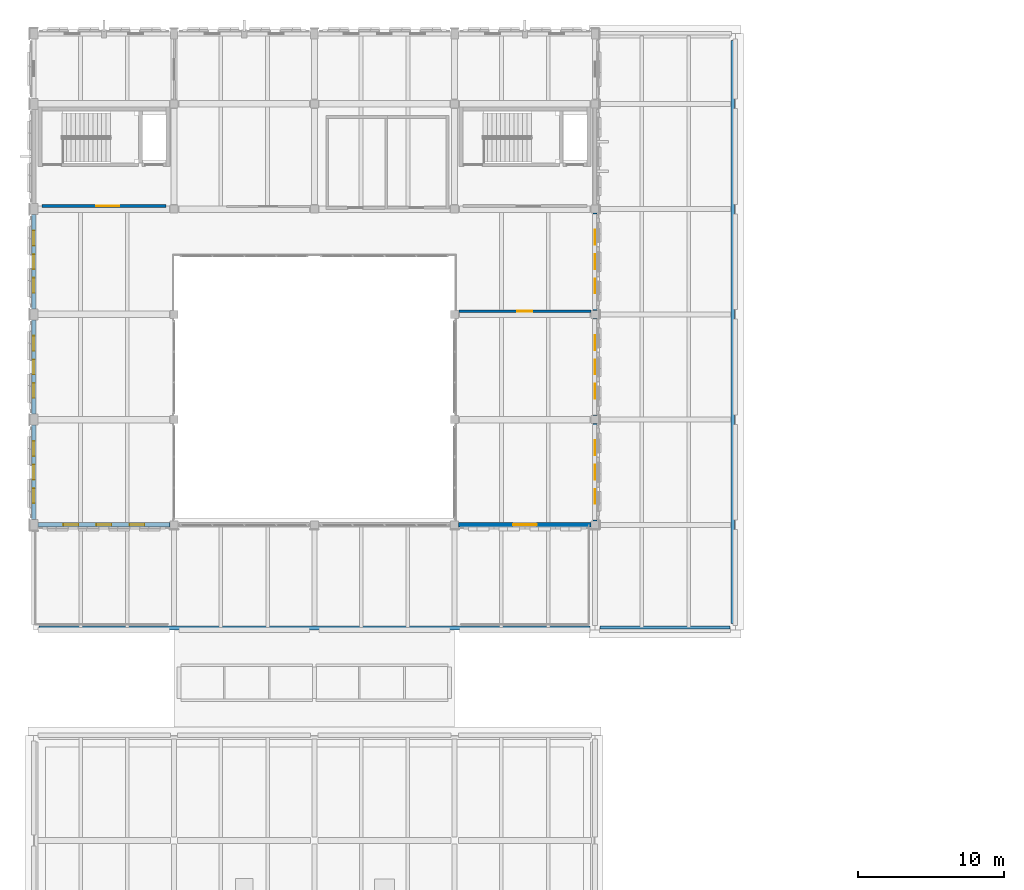
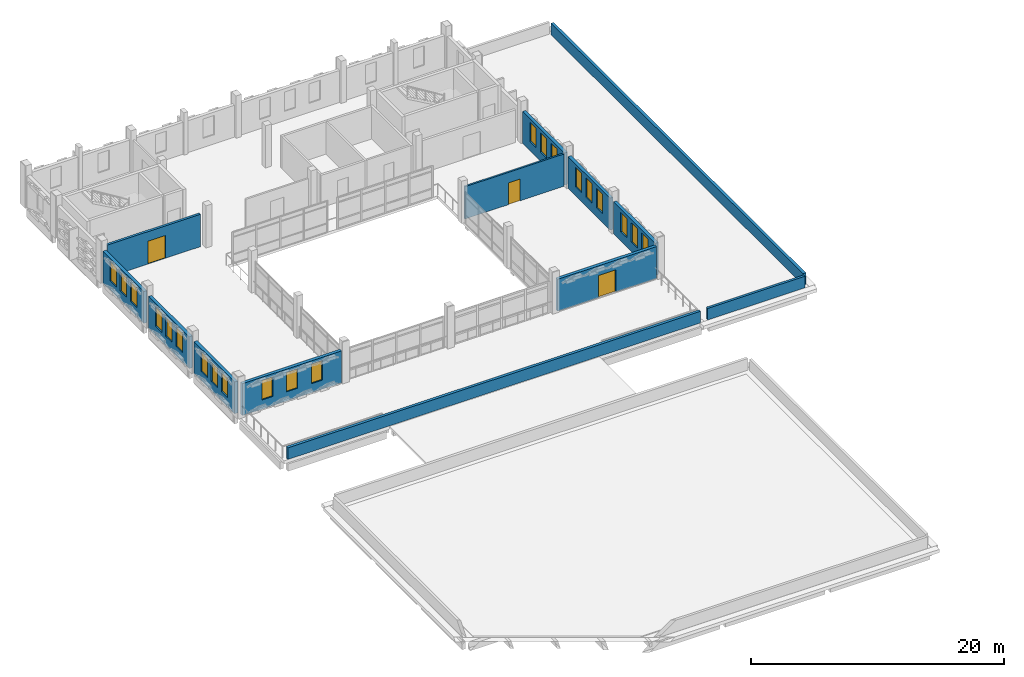
# One storey, part 37 of 50: 21 windows, 13 walls, 3 doors, 24 openings.
"""IFC4 building model written with IfcOpenShell, lengths in metres."""

from ifc_helpers import new_model, si_unit, direction, frame, frame_2d, origin, place, context, subcontext, project, spatial, rectangle, extrude, material, layer, layer_set, type_object, element, fill, save


model = new_model("IFC4")

# Units and contexts
model_context = context("Model", 3, precision=1e-05, world=origin(), true_north=direction((0.0, 1.0)))
body_context = subcontext(model_context, "Body", "Model", "MODEL_VIEW")
ifc_project = project(units=[si_unit("LENGTHUNIT", "METRE"), si_unit("AREAUNIT", "SQUARE_METRE"), si_unit("VOLUMEUNIT", "CUBIC_METRE"), si_unit("PLANEANGLEUNIT", "RADIAN"), si_unit("MASSUNIT", "GRAM", prefix="KILO")], contexts=[model_context])

# Site, building, storey
site_placement = place(None, origin())
site = spatial("IfcSite", under=ifc_project, at=site_placement, CompositionType="ELEMENT")
building_placement = place(site_placement, origin())
building = spatial("IfcBuilding", under=site, at=building_placement, Name="Asteropetra Specialist Clinic", CompositionType="ELEMENT")
storey_placement = place(building_placement, frame((0.0, 0.0, 16.659912109375)))
storey = spatial("IfcBuildingStorey", under=building, at=storey_placement, Name="L04", CompositionType="ELEMENT", Elevation=16.659912109375)

# Wall, openings, windows
ifc_material_1 = material(Name="Chevron ivory", Category="masonry")
ifc_layer_1 = layer(ifc_material_1, 0.2900390625)
ifc_layer_set_1 = layer_set([ifc_layer_1], Name="Chevron ivory")
wall_type_1 = type_object("IfcWallType", Name="EW-CHEV-TER-290", PredefinedType="SOLIDWALL", material=ifc_layer_set_1)
wall_1_placement = place(storey_placement, frame((0.27490234375, 76.800048828125, 0.0), z_axis=(0.0, 0.0, 1.0), x_axis=(1.0, 0.0, 0.0)))
wall_1 = element("IfcWall", 1, at=wall_1_placement, inside=storey, type_object=wall_type_1, Name="Exterior Wall EW-0127", PredefinedType="SOLIDWALL", context=body_context, shape_type="SweptSolid", body=[
    extrude(rectangle(XDim=9.050048828125, YDim=0.2900390625, at=frame_2d((4.52490234375, 0.0))), origin(), (0.0, 0.0, 1.0), 3.080078125),
])
opening_1_placement = place(wall_1_placement, frame((1.75244140625, 0.0, 0.8798828125)))
opening_1 = element("IfcOpeningElement", 2, at=opening_1_placement, cuts=wall_1, Name="Opening W-0055", PredefinedType="OPENING", context=body_context, shape_type="SweptSolid", body=[
    extrude(rectangle(XDim=1.02001953125, YDim=1.8798828125, at=frame_2d((0.510009765625, 0.93994140625))), frame((0.0, 0.155029296875, 0.0), z_axis=(0.0, -1.0, 0.0), x_axis=(1.0, 0.0, 0.0)), (0.0, 0.0, 1.0), 0.31005859375),
])
opening_2_placement = place(wall_1_placement, frame((4.014892578125, 0.0, 0.8798828125)))
opening_2 = element("IfcOpeningElement", 3, at=opening_2_placement, cuts=wall_1, Name="Opening W-0056", PredefinedType="OPENING", context=body_context, shape_type="SweptSolid", body=[
    extrude(rectangle(XDim=1.02001953125, YDim=1.8798828125, at=frame_2d((0.510009765625, 0.93994140625))), frame((0.0, 0.155029296875, 0.0), z_axis=(0.0, -1.0, 0.0), x_axis=(1.0, 0.0, 0.0)), (0.0, 0.0, 1.0), 0.31005859375),
])
opening_3_placement = place(wall_1_placement, frame((6.277587890625, 0.0, 0.8798828125)))
opening_3 = element("IfcOpeningElement", 4, at=opening_3_placement, cuts=wall_1, Name="Opening W-0057", PredefinedType="OPENING", context=body_context, shape_type="SweptSolid", body=[
    extrude(rectangle(XDim=1.02001953125, YDim=1.8798828125, at=frame_2d((0.510009765625, 0.93994140625))), frame((0.0, 0.155029296875, 0.0), z_axis=(0.0, -1.0, 0.0), x_axis=(1.0, 0.0, 0.0)), (0.0, 0.0, 1.0), 0.31005859375),
])
ifc_material_2 = material(Name="Thermally broken bronze aluminium and low-E glass", Category="aluminium")
window_type = type_object("IfcWindowType", Name="WIN-T31", PartitioningType="SINGLE_PANEL", PredefinedType="WINDOW", material=ifc_material_2)
window_1_placement = place(opening_1_placement, origin())
window_1 = element("IfcWindow", 5, at=window_1_placement, inside=storey, type_object=window_type, Name="Window W-0055", OverallHeight=1.8798828125, OverallWidth=1.02001953125, PartitioningType="SINGLE_PANEL", PredefinedType="WINDOW", context=body_context, shape_type="SweptSolid", body=[
    extrude(rectangle(XDim=1.02001953125, YDim=1.8798828125, at=frame_2d((0.510009765625, 0.93994140625))), frame((0.0, 0.030029296875, 0.0), z_axis=(0.0, -1.0, 0.0), x_axis=(1.0, 0.0, 0.0)), (0.0, 0.0, 1.0), 0.06005859375),
])
fill(opening_1, window_1)
window_2_placement = place(opening_2_placement, origin())
window_2 = element("IfcWindow", 6, at=window_2_placement, inside=storey, type_object=window_type, Name="Window W-0056", OverallHeight=1.8798828125, OverallWidth=1.02001953125, PartitioningType="SINGLE_PANEL", PredefinedType="WINDOW", context=body_context, shape_type="SweptSolid", body=[
    extrude(rectangle(XDim=1.02001953125, YDim=1.8798828125, at=frame_2d((0.510009765625, 0.93994140625))), frame((0.0, 0.030029296875, 0.0), z_axis=(0.0, -1.0, 0.0), x_axis=(1.0, 0.0, 0.0)), (0.0, 0.0, 1.0), 0.06005859375),
])
fill(opening_2, window_2)
window_3_placement = place(opening_3_placement, origin())
window_3 = element("IfcWindow", 7, at=window_3_placement, inside=storey, type_object=window_type, Name="Window W-0057", OverallHeight=1.8798828125, OverallWidth=1.02001953125, PartitioningType="SINGLE_PANEL", PredefinedType="WINDOW", context=body_context, shape_type="SweptSolid", body=[
    extrude(rectangle(XDim=1.02001953125, YDim=1.8798828125, at=frame_2d((0.510009765625, 0.93994140625))), frame((0.0, 0.030029296875, 0.0), z_axis=(0.0, -1.0, 0.0), x_axis=(1.0, 0.0, 0.0)), (0.0, 0.0, 1.0), 0.06005859375),
])
fill(opening_3, window_3)

# Wall, opening, door
wall_2_placement = place(storey_placement, frame((29.074951171875, 76.800048828125, 0.0), z_axis=(0.0, 0.0, 1.0), x_axis=(1.0, 0.0, 0.0)))
wall_2 = element("IfcWall", 8, at=wall_2_placement, inside=storey, type_object=wall_type_1, Name="Exterior Wall EW-0131", PredefinedType="SOLIDWALL", context=body_context, shape_type="SweptSolid", body=[
    extrude(rectangle(XDim=9.050048828125, YDim=0.2900390625, at=frame_2d((4.52490234375, 0.0))), origin(), (0.0, 0.0, 1.0), 3.080078125),
])
opening_4_placement = place(wall_2_placement, frame((3.72509765625, 0.0, 0.0)))
opening_4 = element("IfcOpeningElement", 9, at=opening_4_placement, cuts=wall_2, Name="Opening TD-12", PredefinedType="OPENING", context=body_context, shape_type="SweptSolid", body=[
    extrude(rectangle(XDim=1.60009765625, YDim=2.14990234375, at=frame_2d((0.800048828125, 1.074951171875))), frame((0.0, 0.155029296875, 0.0), z_axis=(0.0, -1.0, 0.0), x_axis=(1.0, 0.0, 0.0)), (0.0, 0.0, 1.0), 0.31005859375),
])
ifc_material_3 = material(Name="Bronze aluminium and low-E glass", Category="aluminium")
door_type_1 = type_object("IfcDoorType", Name="EDR-TER-1600", OperationType="DOUBLE_DOOR_SINGLE_SWING", PredefinedType="DOOR", material=ifc_material_3)
door_1_placement = place(opening_4_placement, origin())
door_1 = element("IfcDoor", 10, at=door_1_placement, inside=storey, type_object=door_type_1, Name="Exterior Door TD-12", OperationType="DOUBLE_DOOR_SINGLE_SWING", OverallHeight=2.14990234375, OverallWidth=1.60009765625, PredefinedType="DOOR", context=body_context, shape_type="SweptSolid", body=[
    extrude(rectangle(XDim=1.60009765625, YDim=2.14990234375, at=frame_2d((0.800048828125, 1.074951171875))), frame((0.0, 0.02490234375, 0.0), z_axis=(0.0, -1.0, 0.0), x_axis=(1.0, 0.0, 0.0)), (0.0, 0.0, 1.0), 0.050048828125),
])
fill(opening_4, door_1)

# Wall, openings, windows
wall_3_placement = place(storey_placement, frame((0.0, 83.625, 0.0), z_axis=(0.0, 0.0, 1.0), x_axis=(0.0, -1.0, 0.0)))
wall_3 = element("IfcWall", 11, at=wall_3_placement, inside=storey, type_object=wall_type_1, Name="Exterior Wall EW-0133", PredefinedType="SOLIDWALL", context=body_context, shape_type="SweptSolid", body=[
    extrude(rectangle(XDim=6.449951171875, YDim=0.2900390625, at=frame_2d((3.22509765625, 0.0))), origin(), (0.0, 0.0, 1.0), 3.080078125),
])
opening_5_placement = place(wall_3_placement, frame((1.1025390625, 0.0, 0.8798828125)))
opening_5 = element("IfcOpeningElement", 12, at=opening_5_placement, cuts=wall_3, Name="Opening W-0067", PredefinedType="OPENING", context=body_context, shape_type="SweptSolid", body=[
    extrude(rectangle(XDim=1.02001953125, YDim=1.8798828125, at=frame_2d((0.510009765625, 0.93994140625))), frame((0.0, 0.155029296875, 0.0), z_axis=(0.0, -1.0, 0.0), x_axis=(1.0, 0.0, 0.0)), (0.0, 0.0, 1.0), 0.31005859375),
])
opening_6_placement = place(wall_3_placement, frame((2.715087890625, 0.0, 0.8798828125)))
opening_6 = element("IfcOpeningElement", 13, at=opening_6_placement, cuts=wall_3, Name="Opening W-0068", PredefinedType="OPENING", context=body_context, shape_type="SweptSolid", body=[
    extrude(rectangle(XDim=1.02001953125, YDim=1.8798828125, at=frame_2d((0.510009765625, 0.93994140625))), frame((0.0, 0.155029296875, 0.0), z_axis=(0.0, -1.0, 0.0), x_axis=(1.0, 0.0, 0.0)), (0.0, 0.0, 1.0), 0.31005859375),
])
opening_7_placement = place(wall_3_placement, frame((4.327392578125, 0.0, 0.8798828125)))
opening_7 = element("IfcOpeningElement", 14, at=opening_7_placement, cuts=wall_3, Name="Opening W-0069", PredefinedType="OPENING", context=body_context, shape_type="SweptSolid", body=[
    extrude(rectangle(XDim=1.02001953125, YDim=1.8798828125, at=frame_2d((0.510009765625, 0.93994140625))), frame((0.0, 0.155029296875, 0.0), z_axis=(0.0, -1.0, 0.0), x_axis=(1.0, 0.0, 0.0)), (0.0, 0.0, 1.0), 0.31005859375),
])
window_4_placement = place(opening_5_placement, origin())
window_4 = element("IfcWindow", 15, at=window_4_placement, inside=storey, type_object=window_type, Name="Window W-0067", OverallHeight=1.8798828125, OverallWidth=1.02001953125, PartitioningType="SINGLE_PANEL", PredefinedType="WINDOW", context=body_context, shape_type="SweptSolid", body=[
    extrude(rectangle(XDim=1.02001953125, YDim=1.8798828125, at=frame_2d((0.510009765625, 0.93994140625))), frame((0.0, 0.030029296875, 0.0), z_axis=(0.0, -1.0, 0.0), x_axis=(1.0, 0.0, 0.0)), (0.0, 0.0, 1.0), 0.06005859375),
])
fill(opening_5, window_4)
window_5_placement = place(opening_6_placement, origin())
window_5 = element("IfcWindow", 16, at=window_5_placement, inside=storey, type_object=window_type, Name="Window W-0068", OverallHeight=1.8798828125, OverallWidth=1.02001953125, PartitioningType="SINGLE_PANEL", PredefinedType="WINDOW", context=body_context, shape_type="SweptSolid", body=[
    extrude(rectangle(XDim=1.02001953125, YDim=1.8798828125, at=frame_2d((0.510009765625, 0.93994140625))), frame((0.0, 0.030029296875, 0.0), z_axis=(0.0, -1.0, 0.0), x_axis=(1.0, 0.0, 0.0)), (0.0, 0.0, 1.0), 0.06005859375),
])
fill(opening_6, window_5)
window_6_placement = place(opening_7_placement, origin())
window_6 = element("IfcWindow", 17, at=window_6_placement, inside=storey, type_object=window_type, Name="Window W-0069", OverallHeight=1.8798828125, OverallWidth=1.02001953125, PartitioningType="SINGLE_PANEL", PredefinedType="WINDOW", context=body_context, shape_type="SweptSolid", body=[
    extrude(rectangle(XDim=1.02001953125, YDim=1.8798828125, at=frame_2d((0.510009765625, 0.93994140625))), frame((0.0, 0.030029296875, 0.0), z_axis=(0.0, -1.0, 0.0), x_axis=(1.0, 0.0, 0.0)), (0.0, 0.0, 1.0), 0.06005859375),
])
fill(opening_7, window_6)

wall_4_placement = place(storey_placement, frame((38.39990234375, 77.074951171875, 0.0), z_axis=(0.0, 0.0, 1.0), x_axis=(0.0, 1.0, 0.0)))
wall_4 = element("IfcWall", 18, at=wall_4_placement, inside=storey, type_object=wall_type_1, Name="Exterior Wall EW-0134", PredefinedType="SOLIDWALL", context=body_context, shape_type="SweptSolid", body=[
    extrude(rectangle(XDim=6.650146484375, YDim=0.2900390625, at=frame_2d((3.3251953125, 0.0))), origin(), (0.0, 0.0, 1.0), 3.080078125),
])
opening_8_placement = place(wall_4_placement, frame((1.152587890625, 0.0, 0.8798828125)))
opening_8 = element("IfcOpeningElement", 19, at=opening_8_placement, cuts=wall_4, Name="Opening W-0070", PredefinedType="OPENING", context=body_context, shape_type="SweptSolid", body=[
    extrude(rectangle(XDim=1.02001953125, YDim=1.8798828125, at=frame_2d((0.510009765625, 0.93994140625))), frame((0.0, 0.155029296875, 0.0), z_axis=(0.0, -1.0, 0.0), x_axis=(1.0, 0.0, 0.0)), (0.0, 0.0, 1.0), 0.31005859375),
])
opening_9_placement = place(wall_4_placement, frame((2.81494140625, 0.0, 0.8798828125)))
opening_9 = element("IfcOpeningElement", 20, at=opening_9_placement, cuts=wall_4, Name="Opening W-0071", PredefinedType="OPENING", context=body_context, shape_type="SweptSolid", body=[
    extrude(rectangle(XDim=1.02001953125, YDim=1.8798828125, at=frame_2d((0.510009765625, 0.93994140625))), frame((0.0, 0.155029296875, 0.0), z_axis=(0.0, -1.0, 0.0), x_axis=(1.0, 0.0, 0.0)), (0.0, 0.0, 1.0), 0.31005859375),
])
opening_10_placement = place(wall_4_placement, frame((4.4775390625, 0.0, 0.8798828125)))
opening_10 = element("IfcOpeningElement", 21, at=opening_10_placement, cuts=wall_4, Name="Opening W-0072", PredefinedType="OPENING", context=body_context, shape_type="SweptSolid", body=[
    extrude(rectangle(XDim=1.02001953125, YDim=1.8798828125, at=frame_2d((0.510009765625, 0.93994140625))), frame((0.0, 0.155029296875, 0.0), z_axis=(0.0, -1.0, 0.0), x_axis=(1.0, 0.0, 0.0)), (0.0, 0.0, 1.0), 0.31005859375),
])
window_7_placement = place(opening_8_placement, origin())
window_7 = element("IfcWindow", 22, at=window_7_placement, inside=storey, type_object=window_type, Name="Window W-0070", OverallHeight=1.8798828125, OverallWidth=1.02001953125, PartitioningType="SINGLE_PANEL", PredefinedType="WINDOW", context=body_context, shape_type="SweptSolid", body=[
    extrude(rectangle(XDim=1.02001953125, YDim=1.8798828125, at=frame_2d((0.510009765625, 0.93994140625))), frame((0.0, 0.030029296875, 0.0), z_axis=(0.0, -1.0, 0.0), x_axis=(1.0, 0.0, 0.0)), (0.0, 0.0, 1.0), 0.06005859375),
])
fill(opening_8, window_7)
window_8_placement = place(opening_9_placement, origin())
window_8 = element("IfcWindow", 23, at=window_8_placement, inside=storey, type_object=window_type, Name="Window W-0071", OverallHeight=1.8798828125, OverallWidth=1.02001953125, PartitioningType="SINGLE_PANEL", PredefinedType="WINDOW", context=body_context, shape_type="SweptSolid", body=[
    extrude(rectangle(XDim=1.02001953125, YDim=1.8798828125, at=frame_2d((0.510009765625, 0.93994140625))), frame((0.0, 0.030029296875, 0.0), z_axis=(0.0, -1.0, 0.0), x_axis=(1.0, 0.0, 0.0)), (0.0, 0.0, 1.0), 0.06005859375),
])
fill(opening_9, window_8)
window_9_placement = place(opening_10_placement, origin())
window_9 = element("IfcWindow", 24, at=window_9_placement, inside=storey, type_object=window_type, Name="Window W-0072", OverallHeight=1.8798828125, OverallWidth=1.02001953125, PartitioningType="SINGLE_PANEL", PredefinedType="WINDOW", context=body_context, shape_type="SweptSolid", body=[
    extrude(rectangle(XDim=1.02001953125, YDim=1.8798828125, at=frame_2d((0.510009765625, 0.93994140625))), frame((0.0, 0.030029296875, 0.0), z_axis=(0.0, -1.0, 0.0), x_axis=(1.0, 0.0, 0.0)), (0.0, 0.0, 1.0), 0.06005859375),
])
fill(opening_10, window_9)

wall_5_placement = place(storey_placement, frame((0.0, 90.824951171875, 0.0), z_axis=(0.0, 0.0, 1.0), x_axis=(0.0, -1.0, 0.0)))
wall_5 = element("IfcWall", 25, at=wall_5_placement, inside=storey, type_object=wall_type_1, Name="Exterior Wall EW-0135", PredefinedType="SOLIDWALL", context=body_context, shape_type="SweptSolid", body=[
    extrude(rectangle(XDim=6.449951171875, YDim=0.2900390625, at=frame_2d((3.22509765625, 0.0))), origin(), (0.0, 0.0, 1.0), 3.080078125),
])
opening_11_placement = place(wall_5_placement, frame((1.1025390625, 0.0, 0.8798828125)))
opening_11 = element("IfcOpeningElement", 26, at=opening_11_placement, cuts=wall_5, Name="Opening W-0073", PredefinedType="OPENING", context=body_context, shape_type="SweptSolid", body=[
    extrude(rectangle(XDim=1.02001953125, YDim=1.8798828125, at=frame_2d((0.510009765625, 0.93994140625))), frame((0.0, 0.155029296875, 0.0), z_axis=(0.0, -1.0, 0.0), x_axis=(1.0, 0.0, 0.0)), (0.0, 0.0, 1.0), 0.31005859375),
])
opening_12_placement = place(wall_5_placement, frame((2.715087890625, 0.0, 0.8798828125)))
opening_12 = element("IfcOpeningElement", 27, at=opening_12_placement, cuts=wall_5, Name="Opening W-0074", PredefinedType="OPENING", context=body_context, shape_type="SweptSolid", body=[
    extrude(rectangle(XDim=1.02001953125, YDim=1.8798828125, at=frame_2d((0.510009765625, 0.93994140625))), frame((0.0, 0.155029296875, 0.0), z_axis=(0.0, -1.0, 0.0), x_axis=(1.0, 0.0, 0.0)), (0.0, 0.0, 1.0), 0.31005859375),
])
opening_13_placement = place(wall_5_placement, frame((4.327392578125, 0.0, 0.8798828125)))
opening_13 = element("IfcOpeningElement", 28, at=opening_13_placement, cuts=wall_5, Name="Opening W-0075", PredefinedType="OPENING", context=body_context, shape_type="SweptSolid", body=[
    extrude(rectangle(XDim=1.02001953125, YDim=1.8798828125, at=frame_2d((0.510009765625, 0.93994140625))), frame((0.0, 0.155029296875, 0.0), z_axis=(0.0, -1.0, 0.0), x_axis=(1.0, 0.0, 0.0)), (0.0, 0.0, 1.0), 0.31005859375),
])
window_10_placement = place(opening_11_placement, origin())
window_10 = element("IfcWindow", 29, at=window_10_placement, inside=storey, type_object=window_type, Name="Window W-0073", OverallHeight=1.8798828125, OverallWidth=1.02001953125, PartitioningType="SINGLE_PANEL", PredefinedType="WINDOW", context=body_context, shape_type="SweptSolid", body=[
    extrude(rectangle(XDim=1.02001953125, YDim=1.8798828125, at=frame_2d((0.510009765625, 0.93994140625))), frame((0.0, 0.030029296875, 0.0), z_axis=(0.0, -1.0, 0.0), x_axis=(1.0, 0.0, 0.0)), (0.0, 0.0, 1.0), 0.06005859375),
])
fill(opening_11, window_10)
window_11_placement = place(opening_12_placement, origin())
window_11 = element("IfcWindow", 30, at=window_11_placement, inside=storey, type_object=window_type, Name="Window W-0074", OverallHeight=1.8798828125, OverallWidth=1.02001953125, PartitioningType="SINGLE_PANEL", PredefinedType="WINDOW", context=body_context, shape_type="SweptSolid", body=[
    extrude(rectangle(XDim=1.02001953125, YDim=1.8798828125, at=frame_2d((0.510009765625, 0.93994140625))), frame((0.0, 0.030029296875, 0.0), z_axis=(0.0, -1.0, 0.0), x_axis=(1.0, 0.0, 0.0)), (0.0, 0.0, 1.0), 0.06005859375),
])
fill(opening_12, window_11)
window_12_placement = place(opening_13_placement, origin())
window_12 = element("IfcWindow", 31, at=window_12_placement, inside=storey, type_object=window_type, Name="Window W-0075", OverallHeight=1.8798828125, OverallWidth=1.02001953125, PartitioningType="SINGLE_PANEL", PredefinedType="WINDOW", context=body_context, shape_type="SweptSolid", body=[
    extrude(rectangle(XDim=1.02001953125, YDim=1.8798828125, at=frame_2d((0.510009765625, 0.93994140625))), frame((0.0, 0.030029296875, 0.0), z_axis=(0.0, -1.0, 0.0), x_axis=(1.0, 0.0, 0.0)), (0.0, 0.0, 1.0), 0.06005859375),
])
fill(opening_13, window_12)

wall_6_placement = place(storey_placement, frame((38.39990234375, 84.27490234375, 0.0), z_axis=(0.0, 0.0, 1.0), x_axis=(0.0, 1.0, 0.0)))
wall_6 = element("IfcWall", 32, at=wall_6_placement, inside=storey, type_object=wall_type_1, Name="Exterior Wall EW-0136", PredefinedType="SOLIDWALL", context=body_context, shape_type="SweptSolid", body=[
    extrude(rectangle(XDim=6.650146484375, YDim=0.2900390625, at=frame_2d((3.3251953125, 0.0))), origin(), (0.0, 0.0, 1.0), 3.080078125),
])
opening_14_placement = place(wall_6_placement, frame((1.152587890625, 0.0, 0.8798828125)))
opening_14 = element("IfcOpeningElement", 33, at=opening_14_placement, cuts=wall_6, Name="Opening W-0076", PredefinedType="OPENING", context=body_context, shape_type="SweptSolid", body=[
    extrude(rectangle(XDim=1.02001953125, YDim=1.8798828125, at=frame_2d((0.510009765625, 0.93994140625))), frame((0.0, 0.155029296875, 0.0), z_axis=(0.0, -1.0, 0.0), x_axis=(1.0, 0.0, 0.0)), (0.0, 0.0, 1.0), 0.31005859375),
])
opening_15_placement = place(wall_6_placement, frame((2.81494140625, 0.0, 0.8798828125)))
opening_15 = element("IfcOpeningElement", 34, at=opening_15_placement, cuts=wall_6, Name="Opening W-0077", PredefinedType="OPENING", context=body_context, shape_type="SweptSolid", body=[
    extrude(rectangle(XDim=1.02001953125, YDim=1.8798828125, at=frame_2d((0.510009765625, 0.93994140625))), frame((0.0, 0.155029296875, 0.0), z_axis=(0.0, -1.0, 0.0), x_axis=(1.0, 0.0, 0.0)), (0.0, 0.0, 1.0), 0.31005859375),
])
opening_16_placement = place(wall_6_placement, frame((4.4775390625, 0.0, 0.8798828125)))
opening_16 = element("IfcOpeningElement", 35, at=opening_16_placement, cuts=wall_6, Name="Opening W-0078", PredefinedType="OPENING", context=body_context, shape_type="SweptSolid", body=[
    extrude(rectangle(XDim=1.02001953125, YDim=1.8798828125, at=frame_2d((0.510009765625, 0.93994140625))), frame((0.0, 0.155029296875, 0.0), z_axis=(0.0, -1.0, 0.0), x_axis=(1.0, 0.0, 0.0)), (0.0, 0.0, 1.0), 0.31005859375),
])
window_13_placement = place(opening_14_placement, origin())
window_13 = element("IfcWindow", 36, at=window_13_placement, inside=storey, type_object=window_type, Name="Window W-0076", OverallHeight=1.8798828125, OverallWidth=1.02001953125, PartitioningType="SINGLE_PANEL", PredefinedType="WINDOW", context=body_context, shape_type="SweptSolid", body=[
    extrude(rectangle(XDim=1.02001953125, YDim=1.8798828125, at=frame_2d((0.510009765625, 0.93994140625))), frame((0.0, 0.030029296875, 0.0), z_axis=(0.0, -1.0, 0.0), x_axis=(1.0, 0.0, 0.0)), (0.0, 0.0, 1.0), 0.06005859375),
])
fill(opening_14, window_13)
window_14_placement = place(opening_15_placement, origin())
window_14 = element("IfcWindow", 37, at=window_14_placement, inside=storey, type_object=window_type, Name="Window W-0077", OverallHeight=1.8798828125, OverallWidth=1.02001953125, PartitioningType="SINGLE_PANEL", PredefinedType="WINDOW", context=body_context, shape_type="SweptSolid", body=[
    extrude(rectangle(XDim=1.02001953125, YDim=1.8798828125, at=frame_2d((0.510009765625, 0.93994140625))), frame((0.0, 0.030029296875, 0.0), z_axis=(0.0, -1.0, 0.0), x_axis=(1.0, 0.0, 0.0)), (0.0, 0.0, 1.0), 0.06005859375),
])
fill(opening_15, window_14)
window_15_placement = place(opening_16_placement, origin())
window_15 = element("IfcWindow", 38, at=window_15_placement, inside=storey, type_object=window_type, Name="Window W-0078", OverallHeight=1.8798828125, OverallWidth=1.02001953125, PartitioningType="SINGLE_PANEL", PredefinedType="WINDOW", context=body_context, shape_type="SweptSolid", body=[
    extrude(rectangle(XDim=1.02001953125, YDim=1.8798828125, at=frame_2d((0.510009765625, 0.93994140625))), frame((0.0, 0.030029296875, 0.0), z_axis=(0.0, -1.0, 0.0), x_axis=(1.0, 0.0, 0.0)), (0.0, 0.0, 1.0), 0.06005859375),
])
fill(opening_16, window_15)

wall_7_placement = place(storey_placement, frame((0.0, 98.02490234375, 0.0), z_axis=(0.0, 0.0, 1.0), x_axis=(0.0, -1.0, 0.0)))
wall_7 = element("IfcWall", 39, at=wall_7_placement, inside=storey, type_object=wall_type_1, Name="Exterior Wall EW-0137", PredefinedType="SOLIDWALL", context=body_context, shape_type="SweptSolid", body=[
    extrude(rectangle(XDim=6.449951171875, YDim=0.2900390625, at=frame_2d((3.22509765625, 0.0))), origin(), (0.0, 0.0, 1.0), 3.080078125),
])
opening_17_placement = place(wall_7_placement, frame((1.1025390625, 0.0, 0.8798828125)))
opening_17 = element("IfcOpeningElement", 40, at=opening_17_placement, cuts=wall_7, Name="Opening W-0079", PredefinedType="OPENING", context=body_context, shape_type="SweptSolid", body=[
    extrude(rectangle(XDim=1.02001953125, YDim=1.8798828125, at=frame_2d((0.510009765625, 0.93994140625))), frame((0.0, 0.155029296875, 0.0), z_axis=(0.0, -1.0, 0.0), x_axis=(1.0, 0.0, 0.0)), (0.0, 0.0, 1.0), 0.31005859375),
])
opening_18_placement = place(wall_7_placement, frame((2.715087890625, 0.0, 0.8798828125)))
opening_18 = element("IfcOpeningElement", 41, at=opening_18_placement, cuts=wall_7, Name="Opening W-0080", PredefinedType="OPENING", context=body_context, shape_type="SweptSolid", body=[
    extrude(rectangle(XDim=1.02001953125, YDim=1.8798828125, at=frame_2d((0.510009765625, 0.93994140625))), frame((0.0, 0.155029296875, 0.0), z_axis=(0.0, -1.0, 0.0), x_axis=(1.0, 0.0, 0.0)), (0.0, 0.0, 1.0), 0.31005859375),
])
opening_19_placement = place(wall_7_placement, frame((4.327392578125, 0.0, 0.8798828125)))
opening_19 = element("IfcOpeningElement", 42, at=opening_19_placement, cuts=wall_7, Name="Opening W-0081", PredefinedType="OPENING", context=body_context, shape_type="SweptSolid", body=[
    extrude(rectangle(XDim=1.02001953125, YDim=1.8798828125, at=frame_2d((0.510009765625, 0.93994140625))), frame((0.0, 0.155029296875, 0.0), z_axis=(0.0, -1.0, 0.0), x_axis=(1.0, 0.0, 0.0)), (0.0, 0.0, 1.0), 0.31005859375),
])
window_16_placement = place(opening_17_placement, origin())
window_16 = element("IfcWindow", 43, at=window_16_placement, inside=storey, type_object=window_type, Name="Window W-0079", OverallHeight=1.8798828125, OverallWidth=1.02001953125, PartitioningType="SINGLE_PANEL", PredefinedType="WINDOW", context=body_context, shape_type="SweptSolid", body=[
    extrude(rectangle(XDim=1.02001953125, YDim=1.8798828125, at=frame_2d((0.510009765625, 0.93994140625))), frame((0.0, 0.030029296875, 0.0), z_axis=(0.0, -1.0, 0.0), x_axis=(1.0, 0.0, 0.0)), (0.0, 0.0, 1.0), 0.06005859375),
])
fill(opening_17, window_16)
window_17_placement = place(opening_18_placement, origin())
window_17 = element("IfcWindow", 44, at=window_17_placement, inside=storey, type_object=window_type, Name="Window W-0080", OverallHeight=1.8798828125, OverallWidth=1.02001953125, PartitioningType="SINGLE_PANEL", PredefinedType="WINDOW", context=body_context, shape_type="SweptSolid", body=[
    extrude(rectangle(XDim=1.02001953125, YDim=1.8798828125, at=frame_2d((0.510009765625, 0.93994140625))), frame((0.0, 0.030029296875, 0.0), z_axis=(0.0, -1.0, 0.0), x_axis=(1.0, 0.0, 0.0)), (0.0, 0.0, 1.0), 0.06005859375),
])
fill(opening_18, window_17)
window_18_placement = place(opening_19_placement, origin())
window_18 = element("IfcWindow", 45, at=window_18_placement, inside=storey, type_object=window_type, Name="Window W-0081", OverallHeight=1.8798828125, OverallWidth=1.02001953125, PartitioningType="SINGLE_PANEL", PredefinedType="WINDOW", context=body_context, shape_type="SweptSolid", body=[
    extrude(rectangle(XDim=1.02001953125, YDim=1.8798828125, at=frame_2d((0.510009765625, 0.93994140625))), frame((0.0, 0.030029296875, 0.0), z_axis=(0.0, -1.0, 0.0), x_axis=(1.0, 0.0, 0.0)), (0.0, 0.0, 1.0), 0.06005859375),
])
fill(opening_19, window_18)

wall_8_placement = place(storey_placement, frame((38.39990234375, 91.47509765625, 0.0), z_axis=(0.0, 0.0, 1.0), x_axis=(0.0, 1.0, 0.0)))
wall_8 = element("IfcWall", 46, at=wall_8_placement, inside=storey, type_object=wall_type_1, Name="Exterior Wall EW-0138", PredefinedType="SOLIDWALL", context=body_context, shape_type="SweptSolid", body=[
    extrude(rectangle(XDim=6.64990234375, YDim=0.2900390625, at=frame_2d((3.324951171875, 0.0))), origin(), (0.0, 0.0, 1.0), 3.080078125),
])
opening_20_placement = place(wall_8_placement, frame((1.152587890625, 0.0, 0.8798828125)))
opening_20 = element("IfcOpeningElement", 47, at=opening_20_placement, cuts=wall_8, Name="Opening W-0082", PredefinedType="OPENING", context=body_context, shape_type="SweptSolid", body=[
    extrude(rectangle(XDim=1.02001953125, YDim=1.8798828125, at=frame_2d((0.510009765625, 0.93994140625))), frame((0.0, 0.155029296875, 0.0), z_axis=(0.0, -1.0, 0.0), x_axis=(1.0, 0.0, 0.0)), (0.0, 0.0, 1.0), 0.31005859375),
])
opening_21_placement = place(wall_8_placement, frame((2.81494140625, 0.0, 0.8798828125)))
opening_21 = element("IfcOpeningElement", 48, at=opening_21_placement, cuts=wall_8, Name="Opening W-0083", PredefinedType="OPENING", context=body_context, shape_type="SweptSolid", body=[
    extrude(rectangle(XDim=1.02001953125, YDim=1.8798828125, at=frame_2d((0.510009765625, 0.93994140625))), frame((0.0, 0.155029296875, 0.0), z_axis=(0.0, -1.0, 0.0), x_axis=(1.0, 0.0, 0.0)), (0.0, 0.0, 1.0), 0.31005859375),
])
opening_22_placement = place(wall_8_placement, frame((4.4775390625, 0.0, 0.8798828125)))
opening_22 = element("IfcOpeningElement", 49, at=opening_22_placement, cuts=wall_8, Name="Opening W-0084", PredefinedType="OPENING", context=body_context, shape_type="SweptSolid", body=[
    extrude(rectangle(XDim=1.02001953125, YDim=1.8798828125, at=frame_2d((0.510009765625, 0.93994140625))), frame((0.0, 0.155029296875, 0.0), z_axis=(0.0, -1.0, 0.0), x_axis=(1.0, 0.0, 0.0)), (0.0, 0.0, 1.0), 0.31005859375),
])
window_19_placement = place(opening_20_placement, origin())
window_19 = element("IfcWindow", 50, at=window_19_placement, inside=storey, type_object=window_type, Name="Window W-0082", OverallHeight=1.8798828125, OverallWidth=1.02001953125, PartitioningType="SINGLE_PANEL", PredefinedType="WINDOW", context=body_context, shape_type="SweptSolid", body=[
    extrude(rectangle(XDim=1.02001953125, YDim=1.8798828125, at=frame_2d((0.510009765625, 0.93994140625))), frame((0.0, 0.030029296875, 0.0), z_axis=(0.0, -1.0, 0.0), x_axis=(1.0, 0.0, 0.0)), (0.0, 0.0, 1.0), 0.06005859375),
])
fill(opening_20, window_19)
window_20_placement = place(opening_21_placement, origin())
window_20 = element("IfcWindow", 51, at=window_20_placement, inside=storey, type_object=window_type, Name="Window W-0083", OverallHeight=1.8798828125, OverallWidth=1.02001953125, PartitioningType="SINGLE_PANEL", PredefinedType="WINDOW", context=body_context, shape_type="SweptSolid", body=[
    extrude(rectangle(XDim=1.02001953125, YDim=1.8798828125, at=frame_2d((0.510009765625, 0.93994140625))), frame((0.0, 0.030029296875, 0.0), z_axis=(0.0, -1.0, 0.0), x_axis=(1.0, 0.0, 0.0)), (0.0, 0.0, 1.0), 0.06005859375),
])
fill(opening_21, window_20)
window_21_placement = place(opening_22_placement, origin())
window_21 = element("IfcWindow", 52, at=window_21_placement, inside=storey, type_object=window_type, Name="Window W-0084", OverallHeight=1.8798828125, OverallWidth=1.02001953125, PartitioningType="SINGLE_PANEL", PredefinedType="WINDOW", context=body_context, shape_type="SweptSolid", body=[
    extrude(rectangle(XDim=1.02001953125, YDim=1.8798828125, at=frame_2d((0.510009765625, 0.93994140625))), frame((0.0, 0.030029296875, 0.0), z_axis=(0.0, -1.0, 0.0), x_axis=(1.0, 0.0, 0.0)), (0.0, 0.0, 1.0), 0.06005859375),
])
fill(opening_22, window_21)

# Walls
ifc_material_4 = material(Name="Piraeus poros limestone", Category="masonry")
ifc_layer_2 = layer(ifc_material_4, 0.219970703125)
ifc_layer_set_2 = layer_set([ifc_layer_2], Name="Piraeus poros limestone")
wall_type_2 = type_object("IfcWallType", Name="EW-PARAPET-220", PredefinedType="PARAPET", material=ifc_layer_set_2)
wall_9_placement = place(storey_placement, frame((38.75, 69.780029296875, 0.0), z_axis=(0.0, 0.0, 1.0), x_axis=(1.0, 0.0, 0.0)))
element("IfcWall", 53, at=wall_9_placement, inside=storey, type_object=wall_type_2, Name="Roof Parapet WP-08", PredefinedType="PARAPET", context=body_context, shape_type="SweptSolid", body=[
    extrude(rectangle(XDim=8.89990234375, YDim=0.219970703125, at=frame_2d((4.449951171875, 0.0))), origin(), (0.0, 0.0, 1.0), 1.1201171875),
])
ifc_material_5 = material(Name="Pentelic marble ashlar", Category="masonry")
ifc_layer_3 = layer(ifc_material_5, 0.25)
ifc_layer_set_3 = layer_set([ifc_layer_3], Name="Pentelic marble ashlar")
wall_type_3 = type_object("IfcWallType", Name="EW-PARAPET-250", PredefinedType="PARAPET", material=ifc_layer_set_3)
wall_10_placement = place(storey_placement, frame((47.820068359375, 70.050048828125, 0.0), z_axis=(0.0, 0.0, 1.0), x_axis=(0.0, 1.0, 0.0)))
element("IfcWall", 54, at=wall_10_placement, inside=storey, type_object=wall_type_3, Name="Roof Parapet WP-07", PredefinedType="PARAPET", context=body_context, shape_type="SweptSolid", body=[
    extrude(rectangle(XDim=39.89990234375, YDim=0.25, at=frame_2d((19.949951171875, 0.0))), origin(), (0.0, 0.0, 1.0), 1.1201171875),
])
wall_11_placement = place(storey_placement, frame((0.35009765625, 69.739990234375, 0.0), z_axis=(0.0, 0.0, 1.0), x_axis=(1.0, 0.0, 0.0)))
element("IfcWall", 55, at=wall_11_placement, inside=storey, type_object=wall_type_3, Name="Roof Parapet WP-23", PredefinedType="PARAPET", context=body_context, shape_type="SweptSolid", body=[
    extrude(rectangle(XDim=37.699951171875, YDim=0.25, at=frame_2d((18.85009765625, 0.0))), origin(), (0.0, 0.0, 1.0), 1.1201171875),
])

# Wall, opening, door
ifc_material_6 = material(Name="Fire-rated masonry and gypsum", Category="masonry")
ifc_layer_4 = layer(ifc_material_6, 0.219970703125)
ifc_layer_set_4 = layer_set([ifc_layer_4], Name="Fire-rated masonry and gypsum")
wall_type_4 = type_object("IfcWallType", Name="W-COMP-220", PredefinedType="PARTITIONING", material=ifc_layer_set_4)
wall_12_placement = place(storey_placement, frame((0.56005859375, 98.6201171875, 0.0), z_axis=(0.0, 0.0, 1.0), x_axis=(1.0, 0.0, 0.0)))
wall_12 = element("IfcWall", 56, at=wall_12_placement, inside=storey, type_object=wall_type_4, Name="Core Wall CW-C1-L04-LOB", PredefinedType="PARTITIONING", context=body_context, shape_type="SweptSolid", body=[
    extrude(rectangle(XDim=8.47998046875, YDim=0.219970703125, at=frame_2d((4.239990234375, 0.0))), origin(), (0.0, 0.0, 1.0), 3.130126953125),
])
opening_23_placement = place(wall_12_placement, frame((3.699951171875, 0.0, 0.0)))
opening_23 = element("IfcOpeningElement", 57, at=opening_23_placement, cuts=wall_12, Name="Opening FD-010", PredefinedType="OPENING", context=body_context, shape_type="SweptSolid", body=[
    extrude(rectangle(XDim=1.60009765625, YDim=2.199951171875, at=frame_2d((0.800048828125, 1.10009765625))), frame((0.0, 0.119873046875, 0.0), z_axis=(0.0, -1.0, 0.0), x_axis=(1.0, 0.0, 0.0)), (0.0, 0.0, 1.0), 0.239990234375),
])
ifc_material_7 = material(Name="Fire-rated steel and vision glass door", Category="steel")
door_type_2 = type_object("IfcDoorType", Name="FD-LOBBY-1600", OperationType="DOUBLE_DOOR_SINGLE_SWING", PredefinedType="DOOR", material=ifc_material_7)
door_2_placement = place(opening_23_placement, origin())
door_2 = element("IfcDoor", 58, at=door_2_placement, inside=storey, type_object=door_type_2, Name="Lobby Fire Door FD-010", OperationType="DOUBLE_DOOR_SINGLE_SWING", OverallHeight=2.199951171875, OverallWidth=1.60009765625, PredefinedType="DOOR", context=body_context, shape_type="SweptSolid", body=[
    extrude(rectangle(XDim=1.60009765625, YDim=2.199951171875, at=frame_2d((0.800048828125, 1.10009765625))), frame((0.0, 0.02490234375, 0.0), z_axis=(0.0, -1.0, 0.0), x_axis=(1.0, 0.0, 0.0)), (0.0, 0.0, 1.0), 0.050048828125),
])
fill(opening_23, door_2)

ifc_material_8 = material(Name="Acoustic clinical stud partition", Category="masonry")
ifc_layer_5 = layer(ifc_material_8, 0.159912109375)
ifc_layer_set_5 = layer_set([ifc_layer_5], Name="Acoustic clinical stud partition")
wall_type_5 = type_object("IfcWallType", Name="W-PART-160", PredefinedType="PARTITIONING", material=ifc_layer_set_5)
wall_13_placement = place(storey_placement, frame((29.080078125, 91.419921875, 0.0), z_axis=(0.0, 0.0, 1.0), x_axis=(1.0, 0.0, 0.0)))
wall_13 = element("IfcWall", 59, at=wall_13_placement, inside=storey, type_object=wall_type_5, Name="Interior Partition PW-0170", PredefinedType="PARTITIONING", context=body_context, shape_type="SweptSolid", body=[
    extrude(rectangle(XDim=9.0400390625, YDim=0.159912109375, at=frame_2d((4.52001953125, 0.0))), origin(), (0.0, 0.0, 1.0), 3.1201171875),
])
opening_24_placement = place(wall_13_placement, frame((3.9951171875, 0.0, 0.0)))
opening_24 = element("IfcOpeningElement", 60, at=opening_24_placement, cuts=wall_13, Name="Opening ID-0110", PredefinedType="OPENING", context=body_context, shape_type="SweptSolid", body=[
    extrude(rectangle(XDim=1.050048828125, YDim=2.10009765625, at=frame_2d((0.52490234375, 1.050048828125))), frame((0.0, 0.08984375, 0.0), z_axis=(0.0, -1.0, 0.0), x_axis=(1.0, 0.0, 0.0)), (0.0, 0.0, 1.0), 0.179931640625),
])
ifc_material_9 = material(Name="Antimicrobial laminate timber leaf in steel frame", Category="steel")
door_type_3 = type_object("IfcDoorType", Name="ID-CONS-1050", OperationType="SINGLE_SWING_LEFT", PredefinedType="DOOR", material=ifc_material_9)
door_3_placement = place(opening_24_placement, origin())
door_3 = element("IfcDoor", 61, at=door_3_placement, inside=storey, type_object=door_type_3, Name="Interior Door ID-0110", OperationType="SINGLE_SWING_LEFT", OverallHeight=2.10009765625, OverallWidth=1.050048828125, PredefinedType="DOOR", context=body_context, shape_type="SweptSolid", body=[
    extrude(rectangle(XDim=1.050048828125, YDim=2.10009765625, at=frame_2d((0.52490234375, 1.050048828125))), frame((0.0, 0.02490234375, 0.0), z_axis=(0.0, -1.0, 0.0), x_axis=(1.0, 0.0, 0.0)), (0.0, 0.0, 1.0), 0.050048828125),
])
fill(opening_24, door_3)

save(model, "model.ifc")
